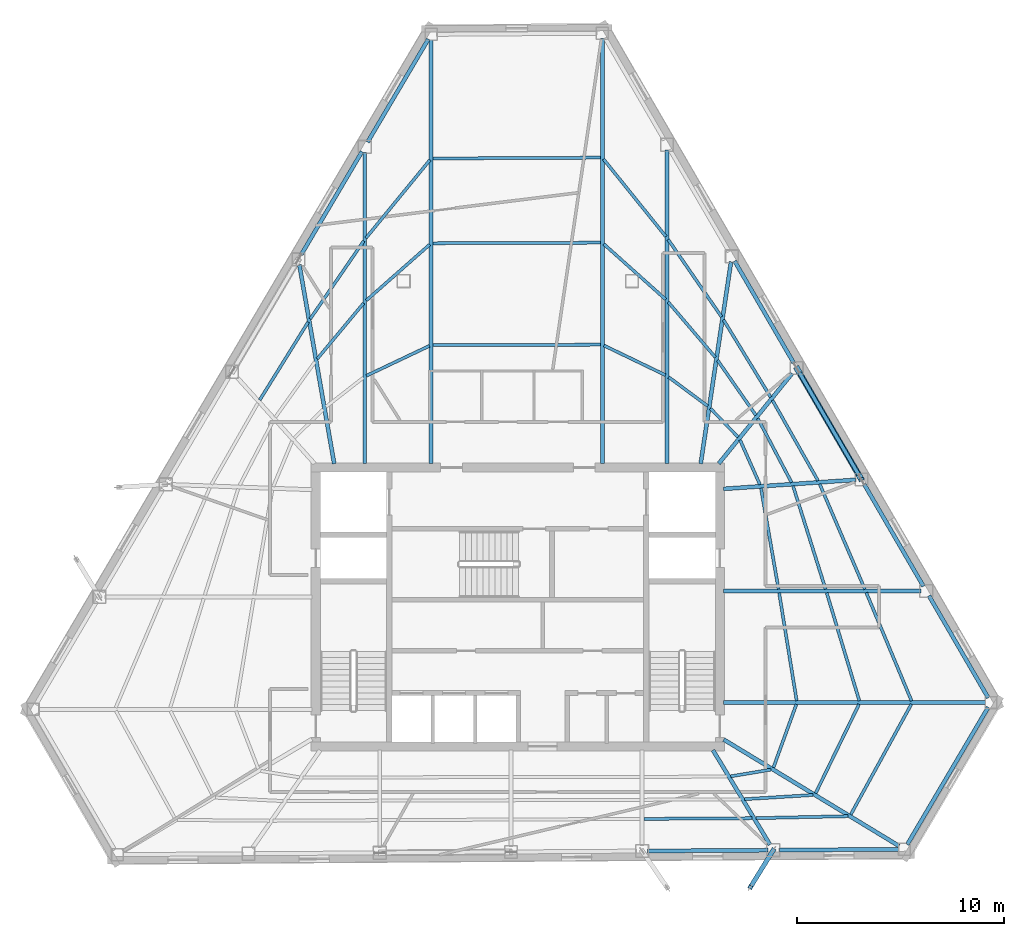
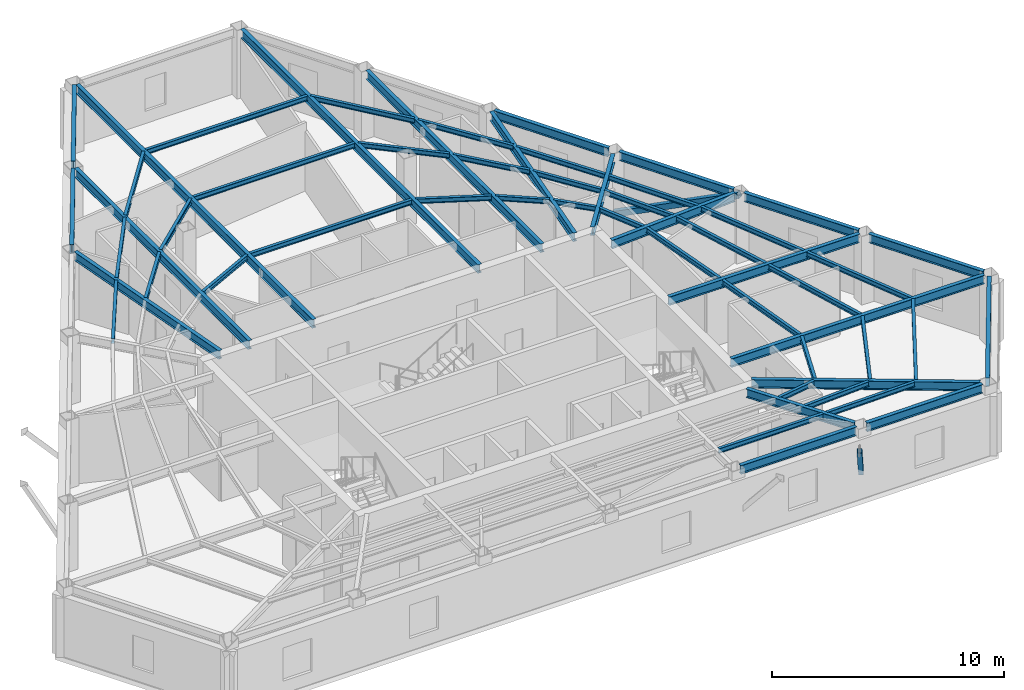
# One storey, part 2 of 10: 55 beams, 2 members.
"""IFC4 building model written with IfcOpenShell, lengths in metres."""

from ifc_helpers import new_model, si_unit, direction, frame, origin, origin_2d, place, context, subcontext, project, spatial, hollow_rectangle, i_section, extrude, material, material_profile, profile_set, type_object, element, save


model = new_model("IFC4")

# Units and contexts
model_context = context("Model", 3, precision=1e-05, world=origin(), true_north=direction((0.0, 1.0)))
body_context = subcontext(model_context, "Body", "Model", "MODEL_VIEW")
ifc_project = project(units=[si_unit("LENGTHUNIT", "METRE"), si_unit("AREAUNIT", "SQUARE_METRE"), si_unit("VOLUMEUNIT", "CUBIC_METRE"), si_unit("PLANEANGLEUNIT", "RADIAN"), si_unit("MASSUNIT", "GRAM", prefix="KILO")], contexts=[model_context])

# Site, building, storey
site_placement = place(None, origin())
site = spatial("IfcSite", under=ifc_project, at=site_placement, CompositionType="ELEMENT")
building_placement = place(site_placement, origin())
building = spatial("IfcBuilding", under=site, at=building_placement, Name="Kavelnor Concourse Tower", CompositionType="ELEMENT")
storey_placement = place(building_placement, frame((0.0, 0.0, 211.199951171875)))
storey = spatial("IfcBuildingStorey", under=building, at=storey_placement, Name="L53", CompositionType="ELEMENT", Elevation=211.199951171875)

# Beams
ifc_material = material(Name="Steel Grade 350", Category="steel")
ifc_material_profile_1 = material_profile(ifc_material, i_section(OverallWidth=0.14599609375, OverallDepth=0.256103515625, WebThickness=0.00634765625, FlangeThickness=0.010986328125, at=origin_2d()), Name="250UB37")
ifc_profile_set_1 = profile_set([ifc_material_profile_1], Name="Steel Grade 350")
beam_type_1 = type_object("IfcBeamType", Name="BM-JOIST-250", PredefinedType="JOIST", material=ifc_profile_set_1)
beam_1_placement = place(storey_placement, frame((44.08056640625, 5.8837890625, 3.47216796875), z_axis=(0.999980615341, 0.00622647106, 0.0), x_axis=(-0.00622647106, 0.999980615341, 0.0)))
element("IfcBeam", 1, at=beam_1_placement, inside=storey, type_object=beam_type_1, Name="L53 Secondary Composite Joist 06-3", PredefinedType="JOIST", context=body_context, shape_type="SweptSolid", body=[
    extrude(i_section(OverallWidth=0.14599609375, OverallDepth=0.256103515625, WebThickness=0.00634765625, FlangeThickness=0.010986328125, at=origin_2d()), origin(), (0.0, 0.0, 1.0), 5.21484375),
])
beam_2_placement = place(storey_placement, frame((48.26416015625, 7.934326171875, 3.47216796875), z_axis=(0.986417420426, 0.16425794556, 0.0), x_axis=(-0.16425794556, 0.986417420426, 0.0)))
element("IfcBeam", 2, at=beam_2_placement, inside=storey, type_object=beam_type_1, Name="L53 Secondary Composite Joist 07-1", PredefinedType="JOIST", context=body_context, shape_type="SweptSolid", body=[
    extrude(i_section(OverallWidth=0.14599609375, OverallDepth=0.256103515625, WebThickness=0.00634765625, FlangeThickness=0.010986328125, at=origin_2d()), origin(), (0.0, 0.0, 1.0), 1.96484375),
])
beam_3_placement = place(storey_placement, frame((48.92431640625, 6.83251953125, 3.47216796875), z_axis=(0.998110408609, 0.06144601067, 0.0), x_axis=(-0.06144601067, 0.998110408609, 0.0)))
element("IfcBeam", 3, at=beam_3_placement, inside=storey, type_object=beam_type_1, Name="L53 Secondary Composite Joist 07-2", PredefinedType="JOIST", context=body_context, shape_type="SweptSolid", body=[
    extrude(i_section(OverallWidth=0.14599609375, OverallDepth=0.256103515625, WebThickness=0.00634765625, FlangeThickness=0.010986328125, at=origin_2d()), origin(), (0.0, 0.0, 1.0), 3.309814453125),
])
beam_4_placement = place(storey_placement, frame((49.473388671875, 5.918701171875, 3.47216796875), z_axis=(0.999768102535, 0.021534650046, 0.0), x_axis=(-0.021534650046, 0.999768102535, 0.0)))
element("IfcBeam", 4, at=beam_4_placement, inside=storey, type_object=beam_type_1, Name="L53 Secondary Composite Joist 07-3", PredefinedType="JOIST", context=body_context, shape_type="SweptSolid", body=[
    extrude(i_section(OverallWidth=0.14599609375, OverallDepth=0.256103515625, WebThickness=0.00634765625, FlangeThickness=0.010986328125, at=origin_2d()), origin(), (0.0, 0.0, 1.0), 4.444091796875),
])
beam_5_placement = place(storey_placement, frame((50.3203125, 8.35546875, 3.47216796875), z_axis=(0.340431909245, 0.940269171657, 0.0), x_axis=(-0.940269171657, 0.340431909245, 0.0)))
element("IfcBeam", 5, at=beam_5_placement, inside=storey, type_object=beam_type_1, Name="L53 Secondary Composite Joist 08-1", PredefinedType="JOIST", context=body_context, shape_type="SweptSolid", body=[
    extrude(i_section(OverallWidth=0.14599609375, OverallDepth=0.256103515625, WebThickness=0.00634765625, FlangeThickness=0.010986328125, at=origin_2d()), origin(), (0.0, 0.0, 1.0), 3.2451171875),
])
beam_6_placement = place(storey_placement, frame((52.355712890625, 7.12158203125, 3.47216796875), z_axis=(0.438247206095, 0.898854485637, 0.0), x_axis=(-0.898854485637, 0.438247206095, 0.0)))
element("IfcBeam", 6, at=beam_6_placement, inside=storey, type_object=beam_type_1, Name="L53 Secondary Composite Joist 08-2", PredefinedType="JOIST", context=body_context, shape_type="SweptSolid", body=[
    extrude(i_section(OverallWidth=0.14599609375, OverallDepth=0.256103515625, WebThickness=0.00634765625, FlangeThickness=0.010986328125, at=origin_2d()), origin(), (0.0, 0.0, 1.0), 4.771484375),
])
beam_7_placement = place(storey_placement, frame((54.04833984375, 6.09423828125, 3.47216796875), z_axis=(0.481263662315, 0.87657588795, 0.0), x_axis=(-0.87657588795, 0.481263662315, 0.0)))
element("IfcBeam", 7, at=beam_7_placement, inside=storey, type_object=beam_type_1, Name="L53 Secondary Composite Joist 08-3", PredefinedType="JOIST", context=body_context, shape_type="SweptSolid", body=[
    extrude(i_section(OverallWidth=0.14599609375, OverallDepth=0.256103515625, WebThickness=0.00634765625, FlangeThickness=0.010986328125, at=origin_2d()), origin(), (0.0, 0.0, 1.0), 6.067138671875),
])
beam_8_placement = place(storey_placement, frame((51.441162109375, 11.578369140625, 3.47216796875), z_axis=(-0.16050554078, 0.98703493929, 0.0), x_axis=(-0.98703493929, -0.16050554078, 0.0)))
element("IfcBeam", 8, at=beam_8_placement, inside=storey, type_object=beam_type_1, Name="L53 Secondary Composite Joist 09-1", PredefinedType="JOIST", context=body_context, shape_type="SweptSolid", body=[
    extrude(i_section(OverallWidth=0.14599609375, OverallDepth=0.256103515625, WebThickness=0.00634765625, FlangeThickness=0.010986328125, at=origin_2d()), origin(), (0.0, 0.0, 1.0), 5.26904296875),
])
beam_9_placement = place(storey_placement, frame((54.4599609375, 11.57568359375, 3.47216796875), z_axis=(-0.289069024023, 0.957308257225, 0.0), x_axis=(-0.957308257225, -0.289069024023, 0.0)))
element("IfcBeam", 9, at=beam_9_placement, inside=storey, type_object=beam_type_1, Name="L53 Secondary Composite Joist 09-2", PredefinedType="JOIST", context=body_context, shape_type="SweptSolid", body=[
    extrude(i_section(OverallWidth=0.14599609375, OverallDepth=0.256103515625, WebThickness=0.00634765625, FlangeThickness=0.010986328125, at=origin_2d()), origin(), (0.0, 0.0, 1.0), 5.438232421875),
])
beam_10_placement = place(storey_placement, frame((56.976806640625, 11.572509765625, 3.47216796875), z_axis=(-0.385762661652, 0.9225980538, 0.0), x_axis=(-0.9225980538, -0.385762661652, 0.0)))
element("IfcBeam", 10, at=beam_10_placement, inside=storey, type_object=beam_type_1, Name="L53 Secondary Composite Joist 09-3", PredefinedType="JOIST", context=body_context, shape_type="SweptSolid", body=[
    extrude(i_section(OverallWidth=0.14599609375, OverallDepth=0.256103515625, WebThickness=0.00634765625, FlangeThickness=0.010986328125, at=origin_2d()), origin(), (0.0, 0.0, 1.0), 5.649658203125),
])
beam_11_placement = place(storey_placement, frame((50.56591796875, 16.95458984375, 3.47216796875), z_axis=(-0.170748990597, 0.985314560032, 0.0), x_axis=(-0.985314560032, -0.170748990597, 0.0)))
element("IfcBeam", 11, at=beam_11_placement, inside=storey, type_object=beam_type_1, Name="L53 Secondary Composite Joist 10-1", PredefinedType="JOIST", context=body_context, shape_type="SweptSolid", body=[
    extrude(i_section(OverallWidth=0.14599609375, OverallDepth=0.256103515625, WebThickness=0.00634765625, FlangeThickness=0.010986328125, at=origin_2d()), origin(), (0.0, 0.0, 1.0), 4.94140625),
])
beam_12_placement = place(storey_placement, frame((52.83544921875, 16.951904296875, 3.47216796875), z_axis=(-0.300726266624, 0.953710497249, 0.0), x_axis=(-0.953710497249, -0.300726266624, 0.0)))
element("IfcBeam", 12, at=beam_12_placement, inside=storey, type_object=beam_type_1, Name="L53 Secondary Composite Joist 10-2", PredefinedType="JOIST", context=body_context, shape_type="SweptSolid", body=[
    extrude(i_section(OverallWidth=0.14599609375, OverallDepth=0.256103515625, WebThickness=0.00634765625, FlangeThickness=0.010986328125, at=origin_2d()), origin(), (0.0, 0.0, 1.0), 5.220947265625),
])
beam_13_placement = place(storey_placement, frame((54.727783203125, 16.94873046875, 3.47216796875), z_axis=(-0.394484996079, 0.918902382122, 0.0), x_axis=(-0.918902382122, -0.394484996079, 0.0)))
element("IfcBeam", 13, at=beam_13_placement, inside=storey, type_object=beam_type_1, Name="L53 Secondary Composite Joist 10-3", PredefinedType="JOIST", context=body_context, shape_type="SweptSolid", body=[
    extrude(i_section(OverallWidth=0.14599609375, OverallDepth=0.256103515625, WebThickness=0.00634765625, FlangeThickness=0.010986328125, at=origin_2d()), origin(), (0.0, 0.0, 1.0), 5.5205078125),
])
beam_14_placement = place(storey_placement, frame((49.670654296875, 21.992431640625, 3.47216796875), z_axis=(-0.407215496108, 0.913332108124, 0.0), x_axis=(-0.913332108124, -0.407215496108, 0.0)))
element("IfcBeam", 14, at=beam_14_placement, inside=storey, type_object=beam_type_1, Name="L53 Secondary Composite Joist 11-1", PredefinedType="JOIST", context=body_context, shape_type="SweptSolid", body=[
    extrude(i_section(OverallWidth=0.14599609375, OverallDepth=0.256103515625, WebThickness=0.00634765625, FlangeThickness=0.010986328125, at=origin_2d()), origin(), (0.0, 0.0, 1.0), 2.35498046875),
])
beam_15_placement = place(storey_placement, frame((51.197021484375, 22.0947265625, 3.47216796875), z_axis=(-0.466543233951, 0.884498395055, 0.0), x_axis=(-0.884498395055, -0.466543233951, 0.0)))
element("IfcBeam", 15, at=beam_15_placement, inside=storey, type_object=beam_type_1, Name="L53 Secondary Composite Joist 11-2", PredefinedType="JOIST", context=body_context, shape_type="SweptSolid", body=[
    extrude(i_section(OverallWidth=0.14599609375, OverallDepth=0.256103515625, WebThickness=0.00634765625, FlangeThickness=0.010986328125, at=origin_2d()), origin(), (0.0, 0.0, 1.0), 3.497314453125),
])
beam_16_placement = place(storey_placement, frame((52.47119140625, 22.180908203125, 3.47216796875), z_axis=(-0.492925470792, 0.870071537429, 0.0), x_axis=(-0.870071537429, -0.492925470792, 0.0)))
element("IfcBeam", 16, at=beam_16_placement, inside=storey, type_object=beam_type_1, Name="L53 Secondary Composite Joist 11-3", PredefinedType="JOIST", context=body_context, shape_type="SweptSolid", body=[
    extrude(i_section(OverallWidth=0.14599609375, OverallDepth=0.256103515625, WebThickness=0.00634765625, FlangeThickness=0.010986328125, at=origin_2d()), origin(), (0.0, 0.0, 1.0), 4.45556640625),
])
beam_17_placement = place(storey_placement, frame((48.61376953125, 24.288818359375, 3.47216796875), z_axis=(-0.694792968635, 0.719209796051, 0.0), x_axis=(-0.719209796051, -0.694792968635, 0.0)))
element("IfcBeam", 17, at=beam_17_placement, inside=storey, type_object=beam_type_1, Name="L53 Secondary Composite Joist 12-1", PredefinedType="JOIST", context=body_context, shape_type="SweptSolid", body=[
    extrude(i_section(OverallWidth=0.14599609375, OverallDepth=0.256103515625, WebThickness=0.00634765625, FlangeThickness=0.010986328125, at=origin_2d()), origin(), (0.0, 0.0, 1.0), 1.90966796875),
])
beam_18_placement = place(storey_placement, frame((49.472900390625, 25.33984375, 3.47216796875), z_axis=(-0.571593745534, 0.820536769479, 0.0), x_axis=(-0.820536769479, -0.571593745534, 0.0)))
element("IfcBeam", 18, at=beam_18_placement, inside=storey, type_object=beam_type_1, Name="L53 Secondary Composite Joist 12-2", PredefinedType="JOIST", context=body_context, shape_type="SweptSolid", body=[
    extrude(i_section(OverallWidth=0.14599609375, OverallDepth=0.256103515625, WebThickness=0.00634765625, FlangeThickness=0.010986328125, at=origin_2d()), origin(), (0.0, 0.0, 1.0), 3.2294921875),
])
beam_19_placement = place(storey_placement, frame((50.1845703125, 26.211181640625, 3.47216796875), z_axis=(-0.520543704305, 0.853835026166, 0.0), x_axis=(-0.853835026166, -0.520543704305, 0.0)))
element("IfcBeam", 19, at=beam_19_placement, inside=storey, type_object=beam_type_1, Name="L53 Secondary Composite Joist 12-3", PredefinedType="JOIST", context=body_context, shape_type="SweptSolid", body=[
    extrude(i_section(OverallWidth=0.14599609375, OverallDepth=0.256103515625, WebThickness=0.00634765625, FlangeThickness=0.010986328125, at=origin_2d()), origin(), (0.0, 0.0, 1.0), 4.35986328125),
])
beam_20_placement = place(storey_placement, frame((47.153564453125, 25.779296875, 3.47216796875), z_axis=(-0.803268048652, 0.595617697869, 0.0), x_axis=(-0.595617697869, -0.803268048652, 0.0)))
element("IfcBeam", 20, at=beam_20_placement, inside=storey, type_object=beam_type_1, Name="L53 Secondary Composite Joist 13-1", PredefinedType="JOIST", context=body_context, shape_type="SweptSolid", body=[
    extrude(i_section(OverallWidth=0.14599609375, OverallDepth=0.256103515625, WebThickness=0.00634765625, FlangeThickness=0.010986328125, at=origin_2d()), origin(), (0.0, 0.0, 1.0), 2.34912109375),
])
beam_21_placement = place(storey_placement, frame((47.518310546875, 28.130615234375, 3.47216796875), z_axis=(-0.648394472063, 0.761304543923, 0.0), x_axis=(-0.761304543923, -0.648394472063, 0.0)))
element("IfcBeam", 21, at=beam_21_placement, inside=storey, type_object=beam_type_1, Name="L53 Secondary Composite Joist 13-2", PredefinedType="JOIST", context=body_context, shape_type="SweptSolid", body=[
    extrude(i_section(OverallWidth=0.14599609375, OverallDepth=0.256103515625, WebThickness=0.00634765625, FlangeThickness=0.010986328125, at=origin_2d()), origin(), (0.0, 0.0, 1.0), 3.494140625),
])
beam_22_placement = place(storey_placement, frame((47.818115234375, 30.0830078125, 3.47216796875), z_axis=(-0.568278536633, 0.822836256373, 0.0), x_axis=(-0.822836256373, -0.568278536633, 0.0)))
element("IfcBeam", 22, at=beam_22_placement, inside=storey, type_object=beam_type_1, Name="L53 Secondary Composite Joist 13-3", PredefinedType="JOIST", context=body_context, shape_type="SweptSolid", body=[
    extrude(i_section(OverallWidth=0.14599609375, OverallDepth=0.256103515625, WebThickness=0.00634765625, FlangeThickness=0.010986328125, at=origin_2d()), origin(), (0.0, 0.0, 1.0), 4.52685546875),
])
beam_23_placement = place(storey_placement, frame((45.114990234375, 27.270263671875, 3.47216796875), z_axis=(-0.900779054727, 0.43427766989, 0.0), x_axis=(-0.43427766989, -0.900779054727, 0.0)))
element("IfcBeam", 23, at=beam_23_placement, inside=storey, type_object=beam_type_1, Name="L53 Secondary Composite Joist 14-1", PredefinedType="JOIST", context=body_context, shape_type="SweptSolid", body=[
    extrude(i_section(OverallWidth=0.14599609375, OverallDepth=0.256103515625, WebThickness=0.00634765625, FlangeThickness=0.010986328125, at=origin_2d()), origin(), (0.0, 0.0, 1.0), 3.2880859375),
])
beam_24_placement = place(storey_placement, frame((45.12890625, 30.91796875, 3.47216796875), z_axis=(-0.74499782621, 0.667066892405, 0.0), x_axis=(-0.667066892405, -0.74499782621, 0.0)))
element("IfcBeam", 24, at=beam_24_placement, inside=storey, type_object=beam_type_1, Name="L53 Secondary Composite Joist 14-2", PredefinedType="JOIST", context=body_context, shape_type="SweptSolid", body=[
    extrude(i_section(OverallWidth=0.14599609375, OverallDepth=0.256103515625, WebThickness=0.00634765625, FlangeThickness=0.010986328125, at=origin_2d()), origin(), (0.0, 0.0, 1.0), 4.01318359375),
])
beam_25_placement = place(storey_placement, frame((45.13916015625, 33.950439453125, 3.47216796875), z_axis=(-0.627782306325, 0.778388961808, 0.0), x_axis=(-0.778388961808, -0.627782306325, 0.0)))
element("IfcBeam", 25, at=beam_25_placement, inside=storey, type_object=beam_type_1, Name="L53 Secondary Composite Joist 14-3", PredefinedType="JOIST", context=body_context, shape_type="SweptSolid", body=[
    extrude(i_section(OverallWidth=0.14599609375, OverallDepth=0.256103515625, WebThickness=0.00634765625, FlangeThickness=0.010986328125, at=origin_2d()), origin(), (0.0, 0.0, 1.0), 4.795166015625),
])
for number, where, z_axis, x_axis, name in (
    (26, (41.98388671875, 28.73681640625, 3.47216796875), (-0.999998184409, -0.001905565035, 0.0), (0.001905565035, -0.999998184409, 0.0), "L53 Secondary Composite Joist 15-1"),
    (27, (41.98388671875, 33.654052734375, 3.47216796875), (-0.999993738106, -0.003538890758, 0.0), (0.003538890758, -0.999993738106, 0.0), "L53 Secondary Composite Joist 15-2"),
    (28, (41.98388671875, 37.751708984375, 3.47216796875), (-0.999987995053, -0.004899974447, 0.0), (0.004899974447, -0.999987995053, 0.0), "L53 Secondary Composite Joist 15-3"),
):
    element("IfcBeam", number, at=place(storey_placement, frame(where, z_axis=z_axis, x_axis=x_axis)), inside=storey, type_object=beam_type_1, Name=name, PredefinedType="JOIST", context=body_context, shape_type="SweptSolid", body=[
        extrude(i_section(OverallWidth=0.14599609375, OverallDepth=0.256103515625, WebThickness=0.00634765625, FlangeThickness=0.010986328125, at=origin_2d()), origin(), (0.0, 0.0, 1.0), 8.071533203125),
    ])
beam_26_placement = place(storey_placement, frame((33.742919921875, 28.68310546875, 3.47216796875), z_axis=(-0.903376695478, -0.428847928837, 0.0), x_axis=(0.428847928837, -0.903376695478, 0.0)))
element("IfcBeam", 29, at=beam_26_placement, inside=storey, type_object=beam_type_1, Name="L53 Secondary Composite Joist 16-1", PredefinedType="JOIST", context=body_context, shape_type="SweptSolid", body=[
    extrude(i_section(OverallWidth=0.14599609375, OverallDepth=0.256103515625, WebThickness=0.00634765625, FlangeThickness=0.010986328125, at=origin_2d()), origin(), (0.0, 0.0, 1.0), 3.361572265625),
])
beam_27_placement = place(storey_placement, frame((33.756591796875, 33.56640625, 3.47216796875), z_axis=(-0.750116849389, -0.661305309417, 0.0), x_axis=(0.661305309417, -0.750116849389, 0.0)))
element("IfcBeam", 30, at=beam_27_placement, inside=storey, type_object=beam_type_1, Name="L53 Secondary Composite Joist 16-2", PredefinedType="JOIST", context=body_context, shape_type="SweptSolid", body=[
    extrude(i_section(OverallWidth=0.14599609375, OverallDepth=0.256103515625, WebThickness=0.00634765625, FlangeThickness=0.010986328125, at=origin_2d()), origin(), (0.0, 0.0, 1.0), 4.0849609375),
])
beam_28_placement = place(storey_placement, frame((33.76708984375, 37.642822265625, 3.47216796875), z_axis=(-0.633759267383, -0.773530342654, 0.0), x_axis=(0.773530342654, -0.633759267383, 0.0)))
element("IfcBeam", 31, at=beam_28_placement, inside=storey, type_object=beam_type_1, Name="L53 Secondary Composite Joist 16-3", PredefinedType="JOIST", context=body_context, shape_type="SweptSolid", body=[
    extrude(i_section(OverallWidth=0.14599609375, OverallDepth=0.256103515625, WebThickness=0.00634765625, FlangeThickness=0.010986328125, at=origin_2d()), origin(), (0.0, 0.0, 1.0), 4.8681640625),
])
beam_29_placement = place(storey_placement, frame((30.568603515625, 30.73779296875, 3.47216796875), z_axis=(-0.639695711241, -0.768628256715, 0.0), x_axis=(0.768628256715, -0.639695711241, 0.0)))
element("IfcBeam", 32, at=beam_29_placement, inside=storey, type_object=beam_type_1, Name="L53 Secondary Composite Joist 17-2", PredefinedType="JOIST", context=body_context, shape_type="SweptSolid", body=[
    extrude(i_section(OverallWidth=0.14599609375, OverallDepth=0.256103515625, WebThickness=0.00634765625, FlangeThickness=0.010986328125, at=origin_2d()), origin(), (0.0, 0.0, 1.0), 3.48974609375),
])
beam_30_placement = place(storey_placement, frame((30.5751953125, 33.735107421875, 3.47216796875), z_axis=(-0.566301486328, -0.824198171912, 0.0), x_axis=(0.824198171912, -0.566301486328, 0.0)))
element("IfcBeam", 33, at=beam_30_placement, inside=storey, type_object=beam_type_1, Name="L53 Secondary Composite Joist 17-3", PredefinedType="JOIST", context=body_context, shape_type="SweptSolid", body=[
    extrude(i_section(OverallWidth=0.14599609375, OverallDepth=0.256103515625, WebThickness=0.00634765625, FlangeThickness=0.010986328125, at=origin_2d()), origin(), (0.0, 0.0, 1.0), 4.55810546875),
])
beam_31_placement = place(storey_placement, frame((27.896484375, 29.8291015625, 3.47216796875), z_axis=(-0.527485186197, -0.849564228497, 0.0), x_axis=(0.849564228497, -0.527485186197, 0.0)))
element("IfcBeam", 34, at=beam_31_placement, inside=storey, type_object=beam_type_1, Name="L53 Secondary Composite Joist 18-3", PredefinedType="JOIST", context=body_context, shape_type="SweptSolid", body=[
    extrude(i_section(OverallWidth=0.14599609375, OverallDepth=0.256103515625, WebThickness=0.00634765625, FlangeThickness=0.010986328125, at=origin_2d()), origin(), (0.0, 0.0, 1.0), 4.42138671875),
])
ifc_material_profile_2 = material_profile(ifc_material, i_section(OverallWidth=0.18994140625, OverallDepth=0.4541015625, WebThickness=0.008544921875, FlangeThickness=0.0126953125, at=origin_2d()), Name="460UB67")
ifc_profile_set_2 = profile_set([ifc_material_profile_2], Name="Steel Grade 350")
beam_type_2 = type_object("IfcBeamType", Name="BM-PRIMARY-460", PredefinedType="BEAM", material=ifc_profile_set_2)
beam_32_placement = place(storey_placement, frame((33.823486328125, 23.0, 3.373046875), z_axis=(0.0, 1.0, 0.0), x_axis=(-1.0, 0.0, 0.0)))
element("IfcBeam", 35, at=beam_32_placement, inside=storey, type_object=beam_type_2, Name="L53 Primary Floor Girder F0-B0", PredefinedType="BEAM", context=body_context, shape_type="SweptSolid", body=[
    extrude(i_section(OverallWidth=0.18994140625, OverallDepth=0.4541015625, WebThickness=0.008544921875, FlangeThickness=0.0126953125, at=origin_2d()), origin(), (0.0, 0.0, 1.0), 20.43310546875),
])
beam_33_placement = place(storey_placement, frame((30.62548828125, 23.0, 3.373046875), z_axis=(0.0, 1.0, 0.0), x_axis=(-1.0, 0.0, 0.0)))
element("IfcBeam", 36, at=beam_33_placement, inside=storey, type_object=beam_type_2, Name="L53 Primary Floor Girder F0-B1", PredefinedType="BEAM", context=body_context, shape_type="SweptSolid", body=[
    extrude(i_section(OverallWidth=0.18994140625, OverallDepth=0.4541015625, WebThickness=0.008544921875, FlangeThickness=0.0126953125, at=origin_2d()), origin(), (0.0, 0.0, 1.0), 15.01171875),
])
beam_34_placement = place(storey_placement, frame((29.15234375, 23.00048828125, 3.373046875), z_axis=(-0.172461846276, 0.985016198638, 0.0), x_axis=(-0.985016198638, -0.172461846276, 0.0)))
element("IfcBeam", 37, at=beam_34_placement, inside=storey, type_object=beam_type_2, Name="L53 Primary Floor Girder F0-B2", PredefinedType="BEAM", context=body_context, shape_type="SweptSolid", body=[
    extrude(i_section(OverallWidth=0.18994140625, OverallDepth=0.4541015625, WebThickness=0.008544921875, FlangeThickness=0.0126953125, at=origin_2d()), origin(), (0.0, 0.0, 1.0), 9.735107421875),
])
beam_35_placement = place(storey_placement, frame((47.40771484375, 9.1943359375, 3.373046875), z_axis=(0.516466445056, -0.856307427932, 0.0), x_axis=(0.856307427932, 0.516466445056, 0.0)))
element("IfcBeam", 38, at=beam_35_placement, inside=storey, type_object=beam_type_2, Name="L53 Primary Floor Girder F1-B5", PredefinedType="BEAM", context=body_context, shape_type="SweptSolid", body=[
    extrude(i_section(OverallWidth=0.18994140625, OverallDepth=0.4541015625, WebThickness=0.008544921875, FlangeThickness=0.0126953125, at=origin_2d()), origin(), (0.0, 0.0, 1.0), 5.316162109375),
])
beam_36_placement = place(storey_placement, frame((47.92578125, 9.707275390625, 3.373046875), z_axis=(0.854801219622, -0.518955561616, 0.0), x_axis=(0.518955561616, 0.854801219622, 0.0)))
element("IfcBeam", 39, at=beam_36_placement, inside=storey, type_object=beam_type_2, Name="L53 Primary Floor Girder F1-B6", PredefinedType="BEAM", context=body_context, shape_type="SweptSolid", body=[
    extrude(i_section(OverallWidth=0.18994140625, OverallDepth=0.4541015625, WebThickness=0.008544921875, FlangeThickness=0.0126953125, at=origin_2d()), origin(), (0.0, 0.0, 1.0), 9.87841796875),
])
beam_37_placement = place(storey_placement, frame((47.919921875, 11.490478515625, 3.373046875), z_axis=(1.0, 0.0, 0.0), x_axis=(0.0, 1.0, 0.0)))
element("IfcBeam", 40, at=beam_37_placement, inside=storey, type_object=beam_type_2, Name="L53 Primary Floor Girder F2-B0", PredefinedType="BEAM", context=body_context, shape_type="SweptSolid", body=[
    extrude(i_section(OverallWidth=0.18994140625, OverallDepth=0.4541015625, WebThickness=0.008544921875, FlangeThickness=0.0126953125, at=origin_2d()), origin(), (0.0, 0.0, 1.0), 12.62646484375),
])
beam_38_placement = place(storey_placement, frame((47.919921875, 16.866943359375, 3.373046875), z_axis=(1.0, 0.0, 0.0), x_axis=(0.0, 1.0, 0.0)))
element("IfcBeam", 41, at=beam_38_placement, inside=storey, type_object=beam_type_2, Name="L53 Primary Floor Girder F2-B1", PredefinedType="BEAM", context=body_context, shape_type="SweptSolid", body=[
    extrude(i_section(OverallWidth=0.18994140625, OverallDepth=0.4541015625, WebThickness=0.008544921875, FlangeThickness=0.0126953125, at=origin_2d()), origin(), (0.0, 0.0, 1.0), 9.504150390625),
])
beam_39_placement = place(storey_placement, frame((47.920166015625, 21.7890625, 3.373046875), z_axis=(0.997668656365, 0.068244062802, 0.0), x_axis=(-0.068244062802, 0.997668656365, 0.0)))
element("IfcBeam", 42, at=beam_39_placement, inside=storey, type_object=beam_type_2, Name="L53 Primary Floor Girder F2-B2", PredefinedType="BEAM", context=body_context, shape_type="SweptSolid", body=[
    extrude(i_section(OverallWidth=0.18994140625, OverallDepth=0.4541015625, WebThickness=0.008544921875, FlangeThickness=0.0126953125, at=origin_2d()), origin(), (0.0, 0.0, 1.0), 6.396484375),
])
beam_40_placement = place(storey_placement, frame((47.685791015625, 23.009033203125, 3.373046875), z_axis=(0.631367158745, 0.77548404939, 0.0), x_axis=(-0.77548404939, 0.631367158745, 0.0)))
element("IfcBeam", 43, at=beam_40_placement, inside=storey, type_object=beam_type_2, Name="L53 Primary Floor Girder F2-B3", PredefinedType="BEAM", context=body_context, shape_type="SweptSolid", body=[
    extrude(i_section(OverallWidth=0.18994140625, OverallDepth=0.4541015625, WebThickness=0.008544921875, FlangeThickness=0.0126953125, at=origin_2d()), origin(), (0.0, 0.0, 1.0), 5.598876953125),
])
beam_41_placement = place(storey_placement, frame((46.8154296875, 23.00048828125, 3.373046875), z_axis=(0.148597536242, 0.988897756203, 0.0), x_axis=(-0.988897756203, 0.148597536242, 0.0)))
element("IfcBeam", 44, at=beam_41_placement, inside=storey, type_object=beam_type_2, Name="L53 Primary Floor Girder F2-B4", PredefinedType="BEAM", context=body_context, shape_type="SweptSolid", body=[
    extrude(i_section(OverallWidth=0.18994140625, OverallDepth=0.4541015625, WebThickness=0.008544921875, FlangeThickness=0.0126953125, at=origin_2d()), origin(), (0.0, 0.0, 1.0), 9.8447265625),
])
beam_42_placement = place(storey_placement, frame((45.195068359375, 23.0, 3.373046875), z_axis=(0.0, 1.0, 0.0), x_axis=(-1.0, 0.0, 0.0)))
element("IfcBeam", 45, at=beam_42_placement, inside=storey, type_object=beam_type_2, Name="L53 Primary Floor Girder F2-B5", PredefinedType="BEAM", context=body_context, shape_type="SweptSolid", body=[
    extrude(i_section(OverallWidth=0.18994140625, OverallDepth=0.4541015625, WebThickness=0.008544921875, FlangeThickness=0.0126953125, at=origin_2d()), origin(), (0.0, 0.0, 1.0), 15.11279296875),
])
beam_43_placement = place(storey_placement, frame((42.072998046875, 23.0, 3.373046875), z_axis=(0.0, 1.0, 0.0), x_axis=(-1.0, 0.0, 0.0)))
element("IfcBeam", 46, at=beam_43_placement, inside=storey, type_object=beam_type_2, Name="L53 Primary Floor Girder F2-B6", PredefinedType="BEAM", context=body_context, shape_type="SweptSolid", body=[
    extrude(i_section(OverallWidth=0.18994140625, OverallDepth=0.4541015625, WebThickness=0.008544921875, FlangeThickness=0.0126953125, at=origin_2d()), origin(), (0.0, 0.0, 1.0), 20.489013671875),
])
ifc_material_profile_3 = material_profile(ifc_material, i_section(OverallWidth=0.19091796875, OverallDepth=0.4599609375, WebThickness=0.010009765625, FlangeThickness=0.01611328125, at=origin_2d()), Name="460UB82")
ifc_profile_set_3 = profile_set([ifc_material_profile_3], Name="Steel Grade 350")
beam_type_3 = type_object("IfcBeamType", Name="BM-SPANDREL-Z3", PredefinedType="SPANDREL", material=ifc_profile_set_3)
beam_44_placement = place(storey_placement, frame((33.688720703125, 43.464599609375, 3.3701171875), z_axis=(-0.508065598282, -0.861318377746, 0.0), x_axis=(0.861318377746, -0.508065598282, 0.0)))
element("IfcBeam", 47, at=beam_44_placement, inside=storey, type_object=beam_type_3, Name="L53 Perimeter Tube Spandrel Beam F0-B0", PredefinedType="SPANDREL", context=body_context, shape_type="SweptSolid", body=[
    extrude(i_section(OverallWidth=0.19091796875, OverallDepth=0.4599609375, WebThickness=0.010009765625, FlangeThickness=0.01611328125, at=origin_2d()), origin(), (0.0, 0.0, 1.0), 5.763916015625),
])
beam_45_placement = place(storey_placement, frame((30.490966796875, 38.04345703125, 3.3701171875), z_axis=(-0.508047063394, -0.861329310645, 0.0), x_axis=(0.861329310645, -0.508047063394, 0.0)))
element("IfcBeam", 48, at=beam_45_placement, inside=storey, type_object=beam_type_3, Name="L53 Perimeter Tube Spandrel Beam F0-B1", PredefinedType="SPANDREL", context=body_context, shape_type="SweptSolid", body=[
    extrude(i_section(OverallWidth=0.19091796875, OverallDepth=0.4599609375, WebThickness=0.010009765625, FlangeThickness=0.01611328125, at=origin_2d()), origin(), (0.0, 0.0, 1.0), 5.76416015625),
])
for number, where, z_axis, x_axis, name in (
    (49, (44.256591796875, 4.335205078125, 3.3701171875), (0.999976973341, 0.006786220397, 0.0), (-0.006786220397, 0.999976973341, 0.0), "L53 Perimeter Tube Spandrel Beam F1-B4"),
    (50, (50.57861328125, 4.378173828125, 3.3701171875), (0.999976973341, 0.006786220397, 0.0), (-0.006786220397, 0.999976973341, 0.0), "L53 Perimeter Tube Spandrel Beam F1-B5"),
):
    element("IfcBeam", number, at=place(storey_placement, frame(where, z_axis=z_axis, x_axis=x_axis)), inside=storey, type_object=beam_type_3, Name=name, PredefinedType="SPANDREL", context=body_context, shape_type="SweptSolid", body=[
        extrude(i_section(OverallWidth=0.19091796875, OverallDepth=0.4599609375, WebThickness=0.010009765625, FlangeThickness=0.01611328125, at=origin_2d()), origin(), (0.0, 0.0, 1.0), 5.792236328125),
    ])
beam_46_placement = place(storey_placement, frame((60.67333984375, 11.7197265625, 3.3701171875), z_axis=(-0.502215257863, 0.864742640772, 0.0), x_axis=(-0.864742640772, -0.502215257863, 0.0)))
element("IfcBeam", 51, at=beam_46_placement, inside=storey, type_object=beam_type_3, Name="L53 Perimeter Tube Spandrel Beam F2-B0", PredefinedType="SPANDREL", context=body_context, shape_type="SweptSolid", body=[
    extrude(i_section(OverallWidth=0.19091796875, OverallDepth=0.4599609375, WebThickness=0.010009765625, FlangeThickness=0.01611328125, at=origin_2d()), origin(), (0.0, 0.0, 1.0), 5.687255859375),
])
for number, where, z_axis, x_axis, name in (
    (52, (57.551025390625, 17.09619140625, 3.3701171875), (-0.502183156095, 0.86476128367, 0.0), (-0.86476128367, -0.502183156095, 0.0), "L53 Perimeter Tube Spandrel Beam F2-B1"),
    (53, (54.4287109375, 22.47265625, 3.3701171875), (-0.502183156095, 0.86476128367, 0.0), (-0.86476128367, -0.502183156095, 0.0), "L53 Perimeter Tube Spandrel Beam F2-B2"),
):
    element("IfcBeam", number, at=place(storey_placement, frame(where, z_axis=z_axis, x_axis=x_axis)), inside=storey, type_object=beam_type_3, Name=name, PredefinedType="SPANDREL", context=body_context, shape_type="SweptSolid", body=[
        extrude(i_section(OverallWidth=0.19091796875, OverallDepth=0.4599609375, WebThickness=0.010009765625, FlangeThickness=0.01611328125, at=origin_2d()), origin(), (0.0, 0.0, 1.0), 5.68701171875),
    ])
beam_47_placement = place(storey_placement, frame((51.306640625, 27.84912109375, 3.3701171875), z_axis=(-0.502215257863, 0.864742640772, 0.0), x_axis=(-0.864742640772, -0.502215257863, 0.0)))
element("IfcBeam", 54, at=beam_47_placement, inside=storey, type_object=beam_type_3, Name="L53 Perimeter Tube Spandrel Beam F2-B3", PredefinedType="SPANDREL", context=body_context, shape_type="SweptSolid", body=[
    extrude(i_section(OverallWidth=0.19091796875, OverallDepth=0.4599609375, WebThickness=0.010009765625, FlangeThickness=0.01611328125, at=origin_2d()), origin(), (0.0, 0.0, 1.0), 5.687255859375),
])
beam_48_placement = place(storey_placement, frame((56.770263671875, 4.647705078125, 3.3701171875), z_axis=(0.508057595471, 0.861323098311, 0.0), x_axis=(-0.861323098311, 0.508057595471, 0.0)))
element("IfcBeam", 55, at=beam_48_placement, inside=storey, type_object=beam_type_3, Name="L53 Chamfer Facet Spandrel Beam C2", PredefinedType="SPANDREL", context=body_context, shape_type="SweptSolid", body=[
    extrude(i_section(OverallWidth=0.19091796875, OverallDepth=0.4599609375, WebThickness=0.010009765625, FlangeThickness=0.01611328125, at=origin_2d()), origin(), (0.0, 0.0, 1.0), 7.679443359375),
])

# Members
ifc_material_profile_4 = material_profile(ifc_material, hollow_rectangle(XDim=0.219970703125, YDim=0.219970703125, WallThickness=0.013916015625, at=origin_2d()), Name="SHS 220x220x14")
ifc_profile_set_4 = profile_set([ifc_material_profile_4], Name="Steel Grade 350")
member_type_1 = type_object("IfcMemberType", Name="MBR-BALC-STRUT-220", PredefinedType="STRUT", material=ifc_profile_set_4)
member_1_placement = place(storey_placement, frame((50.313720703125, 4.37646484375, 1.050048828125), z_axis=(-0.330047614529, -0.533462630383, 0.778772235078), x_axis=(0.850401495502, -0.526134295069, 0.0)))
element("IfcMember", 56, at=member_1_placement, inside=storey, type_object=member_type_1, Name="L53 Tree Balcony Raking Knee Strut 2-B", PredefinedType="STRUT", context=body_context, shape_type="SweptSolid", body=[
    extrude(hollow_rectangle(XDim=0.219970703125, YDim=0.219970703125, WallThickness=0.013916015625, at=origin_2d()), origin(), (0.0, 0.0, 1.0), 3.344970703125),
])
ifc_material_profile_5 = material_profile(ifc_material, hollow_rectangle(XDim=0.280029296875, YDim=0.280029296875, WallThickness=0.01611328125, at=origin_2d()), Name="SHS 280x280x16")
ifc_profile_set_5 = profile_set([ifc_material_profile_5], Name="Steel Grade 350")
member_type_2 = type_object("IfcMemberType", Name="MBR-TUBE-DIAG-Z3", PredefinedType="BRACE", material=ifc_profile_set_5)
member_2_placement = place(storey_placement, frame((51.439697265625, 27.619873046875, 0.219970703125), z_axis=(0.44797516963, -0.771390193572, 0.45196838015), x_axis=(0.864754291147, 0.502195197052, 0.0)))
element("IfcMember", 57, at=member_2_placement, inside=storey, type_object=member_type_2, Name="L53 Framed-Tube Bracing Diagonal F2-B2", PredefinedType="BRACE", context=body_context, shape_type="SweptSolid", body=[
    extrude(hollow_rectangle(XDim=0.280029296875, YDim=0.280029296875, WallThickness=0.01611328125, at=origin_2d()), origin(), (0.0, 0.0, 1.0), 6.9697265625),
])

save(model, "model.ifc")
